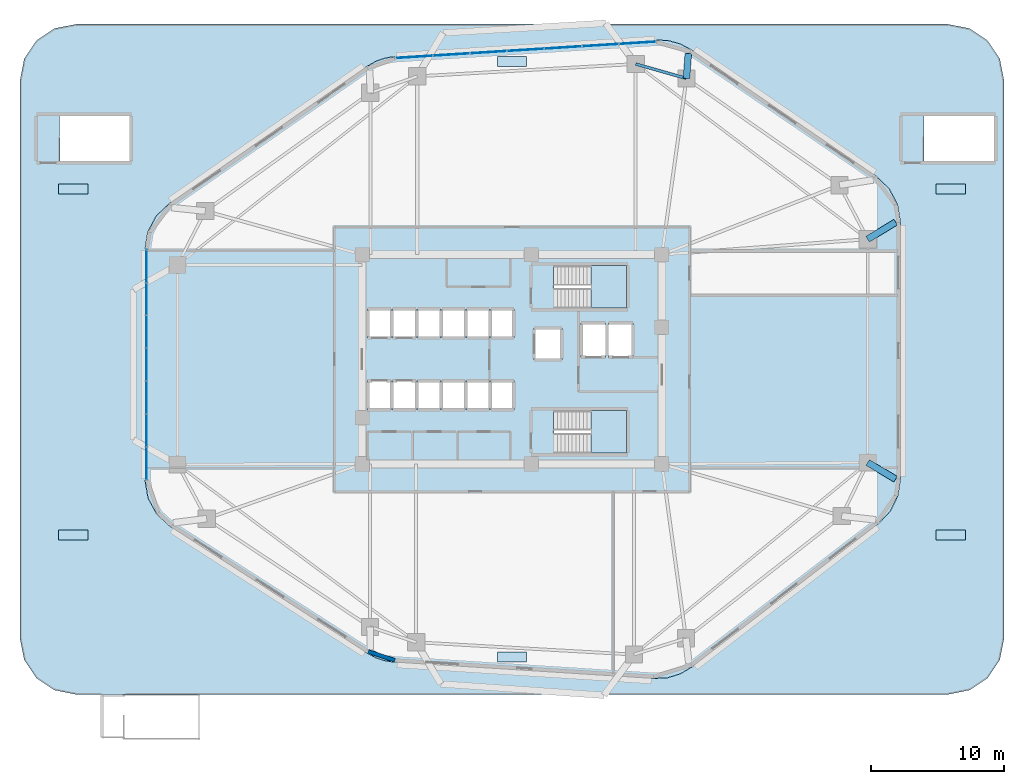
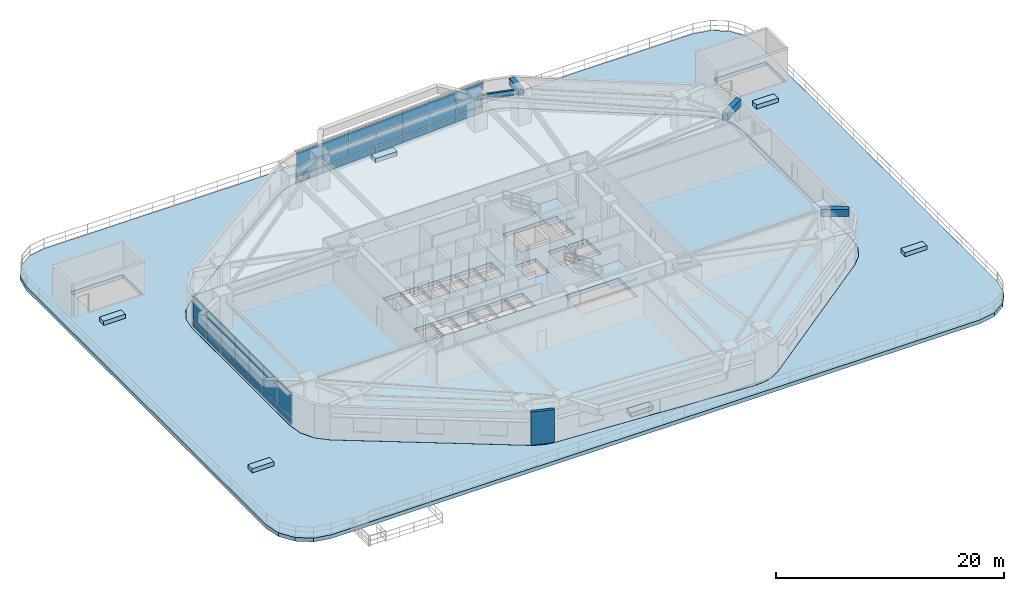
# One storey, part 13 of 20: 34 plates, 4 beams, 4 slabs, 1 wall, 4 elements without a shape of their own.
"""IFC4 building model written with IfcOpenShell, lengths in metres."""

from ifc_helpers import new_model, si_unit, direction, frame, frame_2d, origin, origin_2d, place, context, subcontext, project, spatial, polyline, rectangle, i_section, outline, extrude, material, layer, layer_set, material_profile, profile_set, type_object, element, aggregate, save


model = new_model("IFC4")

# Units and contexts
model_context = context("Model", 3, precision=1e-05, world=origin(), true_north=direction((0.0, 1.0)))
body_context = subcontext(model_context, "Body", "Model", "MODEL_VIEW")
ifc_project = project(units=[si_unit("LENGTHUNIT", "METRE"), si_unit("AREAUNIT", "SQUARE_METRE"), si_unit("VOLUMEUNIT", "CUBIC_METRE"), si_unit("PLANEANGLEUNIT", "RADIAN"), si_unit("MASSUNIT", "GRAM", prefix="KILO")], contexts=[model_context])

# Site, building, storey
site_placement = place(None, origin())
site = spatial("IfcSite", under=ifc_project, at=site_placement, CompositionType="ELEMENT")
building_placement = place(site_placement, origin())
building = spatial("IfcBuilding", under=site, at=building_placement, Name="Zulverin Broadcast Headquarters", CompositionType="ELEMENT")
storey_placement = place(building_placement, frame((0.0, 0.0, 25.0)))
storey = spatial("IfcBuildingStorey", under=building, at=storey_placement, Name="L05", CompositionType="ELEMENT", Elevation=25.0)

# Beams
ifc_material_1 = material(Name="Concrete C40/50", Category="concrete")
ifc_material_profile_1 = material_profile(ifc_material_1, rectangle(XDim=0.5, YDim=0.75, at=origin_2d()), Name="Concrete C40/50", Category="concrete")
ifc_profile_set_1 = profile_set([ifc_material_profile_1], Name="Concrete C40/50")
beam_type_1 = type_object("IfcBeamType", Name="BM-RC-500x750", PredefinedType="BEAM", material=ifc_profile_set_1)
beam_1_placement = place(storey_placement, frame((63.75, 17.439697265625, 3.14990234375), z_axis=(0.858161199639, -0.513380322407, 0.0), x_axis=(0.513380322407, 0.858161199639, 0.0)))
element("IfcBeam", 1, at=beam_1_placement, inside=storey, type_object=beam_type_1, Name="L06 Plate Overhang Back-Spanned Beam OVR-05", PredefinedType="BEAM", context=body_context, shape_type="SweptSolid", body=[
    extrude(rectangle(XDim=0.5, YDim=0.75, at=origin_2d()), origin(), (0.0, 0.0, 1.0), 2.447265625),
])
beam_2_placement = place(storey_placement, frame((63.75, 34.235107421875, 3.14990234375), z_axis=(0.854022127196, 0.520236682924, 0.0), x_axis=(-0.520236682924, 0.854022127196, 0.0)))
element("IfcBeam", 2, at=beam_2_placement, inside=storey, type_object=beam_type_1, Name="L06 Plate Overhang Back-Spanned Beam OVR-06", PredefinedType="BEAM", context=body_context, shape_type="SweptSolid", body=[
    extrude(rectangle(XDim=0.5, YDim=0.75, at=origin_2d()), origin(), (0.0, 0.0, 1.0), 2.458984375),
])
beam_3_placement = place(storey_placement, frame((50.121826171875, 46.325927734375, 3.14990234375), z_axis=(0.073023006252, 0.997330256514, 0.0), x_axis=(-0.997330256514, 0.073023006252, 0.0)))
element("IfcBeam", 3, at=beam_3_placement, inside=storey, type_object=beam_type_1, Name="L06 Plate Overhang Back-Spanned Beam OVR-08", PredefinedType="BEAM", context=body_context, shape_type="SweptSolid", body=[
    extrude(rectangle(XDim=0.5, YDim=0.75, at=origin_2d()), origin(), (0.0, 0.0, 1.0), 1.875732421875),
])
ifc_material_2 = material(Name="Structural steel S355JR", Category="steel")
ifc_material_profile_2 = material_profile(ifc_material_2, i_section(OverallWidth=0.2119140625, OverallDepth=0.54443359375, WebThickness=0.0126953125, FlangeThickness=0.021240234375, at=origin_2d()), Name="Structural steel S355JR", Category="steel")
ifc_profile_set_2 = profile_set([ifc_material_profile_2], Name="Structural steel S355JR")
beam_type_2 = type_object("IfcBeamType", Name="BM-UB-533", PredefinedType="SPANDREL", material=ifc_profile_set_2)
beam_4_placement = place(storey_placement, frame((50.121826171875, 46.325927734375, 3.252685546875), z_axis=(-0.962058150721, 0.272844487999, 0.0), x_axis=(-0.272844487999, -0.962058150721, 0.0)))
element("IfcBeam", 4, at=beam_4_placement, inside=storey, type_object=beam_type_2, Name="L05 Perimeter Spandrel Beam SP-08", PredefinedType="SPANDREL", context=body_context, shape_type="SweptSolid", body=[
    extrude(i_section(OverallWidth=0.2119140625, OverallDepth=0.54443359375, WebThickness=0.0126953125, FlangeThickness=0.021240234375, at=origin_2d()), origin(), (0.0, 0.0, 1.0), 3.97021484375),
])

# Curtain wall, plates
ifc_material_3 = material(Name="Low-zone ribbon unitised curtain wall", Category="aluminium")
curtain_wall_type = type_object("IfcCurtainWallType", Name="CW-TWR-LOW", PredefinedType="USERDEFINED", material=ifc_material_3)
curtain_wall_1_placement = place(storey_placement, origin())
curtain_wall_1 = element("IfcCurtainWall", 5, at=curtain_wall_1_placement, inside=storey, type_object=curtain_wall_type, Name="L05 Unitised Curtain Wall CW-L05-E5", ObjectType="UNITISED CURTAIN WALL", PredefinedType="USERDEFINED")
ifc_material_4 = material(Name="Low-E double-glazed pale-silver vision glass", Category="glass")
ifc_layer_1 = layer(ifc_material_4, 0.035888671875, Name="Low-E double-glazed pale-silver vision glass", Category="glass")
ifc_layer_set_1 = layer_set([ifc_layer_1], Name="Low-E double-glazed pale-silver vision glass")
plate_type_1 = type_object("IfcPlateType", Name="CW-PNL-GLZ", PredefinedType="CURTAIN_PANEL", material=ifc_layer_set_1)
plate_1_placement = place(storey_placement, frame((46.43115234375, 49.001220703125, 0.910888671875), z_axis=(0.0, 0.0, 1.0), x_axis=(-0.998017621976, -0.062935095345, 0.0)))
plate_1 = element("IfcPlate", 6, at=plate_1_placement, type_object=plate_type_1, Name="CW-L05-E5 Vision Panel 00", PredefinedType="CURTAIN_PANEL", context=body_context, shape_type="SweptSolid", body=[
    extrude(rectangle(XDim=2.76416015625, YDim=0.035888671875, at=origin_2d()), origin(), (0.0, 0.0, 1.0), 2.47412109375),
])
plate_2_placement = place(storey_placement, frame((43.632568359375, 48.82470703125, 0.910888671875), z_axis=(0.0, 0.0, 1.0), x_axis=(-0.998017621976, -0.062935095345, 0.0)))
plate_2 = element("IfcPlate", 7, at=plate_2_placement, type_object=plate_type_1, Name="CW-L05-E5 Vision Panel 01", PredefinedType="CURTAIN_PANEL", context=body_context, shape_type="SweptSolid", body=[
    extrude(rectangle(XDim=2.76416015625, YDim=0.035888671875, at=origin_2d()), origin(), (0.0, 0.0, 1.0), 2.47412109375),
])
plate_3_placement = place(storey_placement, frame((40.833984375, 48.648193359375, 0.910888671875), z_axis=(0.0, 0.0, 1.0), x_axis=(-0.998017621976, -0.062935095345, 0.0)))
plate_3 = element("IfcPlate", 8, at=plate_3_placement, type_object=plate_type_1, Name="CW-L05-E5 Vision Panel 02", PredefinedType="CURTAIN_PANEL", context=body_context, shape_type="SweptSolid", body=[
    extrude(rectangle(XDim=2.76416015625, YDim=0.035888671875, at=origin_2d()), origin(), (0.0, 0.0, 1.0), 2.47412109375),
])
plate_4_placement = place(storey_placement, frame((38.035400390625, 48.4716796875, 0.910888671875), z_axis=(0.0, 0.0, 1.0), x_axis=(-0.998017621976, -0.062935095345, 0.0)))
plate_4 = element("IfcPlate", 9, at=plate_4_placement, type_object=plate_type_1, Name="CW-L05-E5 Vision Panel 03", PredefinedType="CURTAIN_PANEL", context=body_context, shape_type="SweptSolid", body=[
    extrude(rectangle(XDim=2.76416015625, YDim=0.035888671875, at=origin_2d()), origin(), (0.0, 0.0, 1.0), 2.47412109375),
])
plate_5_placement = place(storey_placement, frame((35.236572265625, 48.295166015625, 0.910888671875), z_axis=(0.0, 0.0, 1.0), x_axis=(-0.998017621976, -0.062935095345, 0.0)))
plate_5 = element("IfcPlate", 10, at=plate_5_placement, type_object=plate_type_1, Name="CW-L05-E5 Vision Panel 04", PredefinedType="CURTAIN_PANEL", context=body_context, shape_type="SweptSolid", body=[
    extrude(rectangle(XDim=2.76416015625, YDim=0.035888671875, at=origin_2d()), origin(), (0.0, 0.0, 1.0), 2.47412109375),
])
plate_6_placement = place(storey_placement, frame((32.43798828125, 48.11865234375, 0.910888671875), z_axis=(0.0, 0.0, 1.0), x_axis=(-0.998017621976, -0.062935095345, 0.0)))
plate_6 = element("IfcPlate", 11, at=plate_6_placement, type_object=plate_type_1, Name="CW-L05-E5 Vision Panel 05", PredefinedType="CURTAIN_PANEL", context=body_context, shape_type="SweptSolid", body=[
    extrude(rectangle(XDim=2.76416015625, YDim=0.035888671875, at=origin_2d()), origin(), (0.0, 0.0, 1.0), 2.47412109375),
])
plate_7_placement = place(storey_placement, frame((29.639404296875, 47.942138671875, 0.910888671875), z_axis=(0.0, 0.0, 1.0), x_axis=(-0.998017621976, -0.062935095345, 0.0)))
plate_7 = element("IfcPlate", 12, at=plate_7_placement, type_object=plate_type_1, Name="CW-L05-E5 Vision Panel 06", PredefinedType="CURTAIN_PANEL", context=body_context, shape_type="SweptSolid", body=[
    extrude(rectangle(XDim=2.76416015625, YDim=0.035888671875, at=origin_2d()), origin(), (0.0, 0.0, 1.0), 2.47412109375),
])

curtain_wall_2_placement = place(storey_placement, origin())
curtain_wall_2 = element("IfcCurtainWall", 13, at=curtain_wall_2_placement, inside=storey, type_object=curtain_wall_type, Name="L05 Unitised Curtain Wall CW-L05-E7", ObjectType="UNITISED CURTAIN WALL", PredefinedType="USERDEFINED")
plate_8_placement = place(storey_placement, frame((9.52001953125, 32.20849609375, 0.910888671875), z_axis=(0.0, 0.0, 1.0), x_axis=(0.0, -1.0, 0.0)))
plate_8 = element("IfcPlate", 14, at=plate_8_placement, type_object=plate_type_1, Name="CW-L05-E7 Vision Panel 00", PredefinedType="CURTAIN_PANEL", context=body_context, shape_type="SweptSolid", body=[
    extrude(rectangle(XDim=2.431396484375, YDim=0.035888671875, at=origin_2d()), origin(), (0.0, 0.0, 1.0), 2.47412109375),
])
plate_9_placement = place(storey_placement, frame((9.52001953125, 29.737060546875, 0.910888671875), z_axis=(0.0, 0.0, 1.0), x_axis=(0.0, -1.0, 0.0)))
plate_9 = element("IfcPlate", 15, at=plate_9_placement, type_object=plate_type_1, Name="CW-L05-E7 Vision Panel 01", PredefinedType="CURTAIN_PANEL", context=body_context, shape_type="SweptSolid", body=[
    extrude(rectangle(XDim=2.431396484375, YDim=0.035888671875, at=origin_2d()), origin(), (0.0, 0.0, 1.0), 2.47412109375),
])
plate_10_placement = place(storey_placement, frame((9.52001953125, 27.265380859375, 0.910888671875), z_axis=(0.0, 0.0, 1.0), x_axis=(0.0, -1.0, 0.0)))
plate_10 = element("IfcPlate", 16, at=plate_10_placement, type_object=plate_type_1, Name="CW-L05-E7 Vision Panel 02", PredefinedType="CURTAIN_PANEL", context=body_context, shape_type="SweptSolid", body=[
    extrude(rectangle(XDim=2.431396484375, YDim=0.035888671875, at=origin_2d()), origin(), (0.0, 0.0, 1.0), 2.47412109375),
])
plate_11_placement = place(storey_placement, frame((9.52001953125, 24.7939453125, 0.910888671875), z_axis=(0.0, 0.0, 1.0), x_axis=(0.0, -1.0, 0.0)))
plate_11 = element("IfcPlate", 17, at=plate_11_placement, type_object=plate_type_1, Name="CW-L05-E7 Vision Panel 03", PredefinedType="CURTAIN_PANEL", context=body_context, shape_type="SweptSolid", body=[
    extrude(rectangle(XDim=2.431396484375, YDim=0.035888671875, at=origin_2d()), origin(), (0.0, 0.0, 1.0), 2.47412109375),
])
plate_12_placement = place(storey_placement, frame((9.52001953125, 22.322509765625, 0.910888671875), z_axis=(0.0, 0.0, 1.0), x_axis=(0.0, -1.0, 0.0)))
plate_12 = element("IfcPlate", 18, at=plate_12_placement, type_object=plate_type_1, Name="CW-L05-E7 Vision Panel 04", PredefinedType="CURTAIN_PANEL", context=body_context, shape_type="SweptSolid", body=[
    extrude(rectangle(XDim=2.431396484375, YDim=0.035888671875, at=origin_2d()), origin(), (0.0, 0.0, 1.0), 2.47412109375),
])
plate_13_placement = place(storey_placement, frame((9.52001953125, 19.850830078125, 0.910888671875), z_axis=(0.0, 0.0, 1.0), x_axis=(0.0, -1.0, 0.0)))
plate_13 = element("IfcPlate", 19, at=plate_13_placement, type_object=plate_type_1, Name="CW-L05-E7 Vision Panel 05", PredefinedType="CURTAIN_PANEL", context=body_context, shape_type="SweptSolid", body=[
    extrude(rectangle(XDim=2.431396484375, YDim=0.035888671875, at=origin_2d()), origin(), (0.0, 0.0, 1.0), 2.47412109375),
])
plate_14_placement = place(storey_placement, frame((9.52001953125, 17.37939453125, 0.910888671875), z_axis=(0.0, 0.0, 1.0), x_axis=(0.0, -1.0, 0.0)))
plate_14 = element("IfcPlate", 20, at=plate_14_placement, type_object=plate_type_1, Name="CW-L05-E7 Vision Panel 06", PredefinedType="CURTAIN_PANEL", context=body_context, shape_type="SweptSolid", body=[
    extrude(rectangle(XDim=2.431396484375, YDim=0.035888671875, at=origin_2d()), origin(), (0.0, 0.0, 1.0), 2.47412109375),
])

# Plate
ifc_material_5 = material(Name="Insulated brushed pale-aluminium spandrel cassette", Category="aluminium")
ifc_layer_2 = layer(ifc_material_5, 0.050048828125, Name="Insulated brushed pale-aluminium spandrel cassette", Category="aluminium")
ifc_layer_set_2 = layer_set([ifc_layer_2], Name="Insulated brushed pale-aluminium spandrel cassette")
plate_type_2 = type_object("IfcPlateType", Name="CW-PNL-SPN", PredefinedType="CURTAIN_PANEL", material=ifc_layer_set_2)
plate_15_placement = place(storey_placement, frame((46.43115234375, 49.001220703125, 0.139892578125), z_axis=(0.0, 0.0, 1.0), x_axis=(-0.998017621976, -0.062935095345, 0.0)))
plate_15 = element("IfcPlate", 21, at=plate_15_placement, type_object=plate_type_2, Name="CW-L05-E5 Spandrel Cassette 00", PredefinedType="CURTAIN_PANEL", context=body_context, shape_type="SweptSolid", body=[
    extrude(rectangle(XDim=2.76416015625, YDim=0.050048828125, at=origin_2d()), origin(), (0.0, 0.0, 1.0), 0.64111328125),
])

plate_16_placement = place(storey_placement, frame((43.632568359375, 48.82470703125, 0.139892578125), z_axis=(0.0, 0.0, 1.0), x_axis=(-0.998017621976, -0.062935095345, 0.0)))
plate_16 = element("IfcPlate", 22, at=plate_16_placement, type_object=plate_type_2, Name="CW-L05-E5 Spandrel Cassette 01", PredefinedType="CURTAIN_PANEL", context=body_context, shape_type="SweptSolid", body=[
    extrude(rectangle(XDim=2.76416015625, YDim=0.050048828125, at=origin_2d()), origin(), (0.0, 0.0, 1.0), 0.64111328125),
])

plate_17_placement = place(storey_placement, frame((40.833984375, 48.648193359375, 0.139892578125), z_axis=(0.0, 0.0, 1.0), x_axis=(-0.998017621976, -0.062935095345, 0.0)))
plate_17 = element("IfcPlate", 23, at=plate_17_placement, type_object=plate_type_2, Name="CW-L05-E5 Spandrel Cassette 02", PredefinedType="CURTAIN_PANEL", context=body_context, shape_type="SweptSolid", body=[
    extrude(rectangle(XDim=2.76416015625, YDim=0.050048828125, at=origin_2d()), origin(), (0.0, 0.0, 1.0), 0.64111328125),
])

plate_18_placement = place(storey_placement, frame((38.035400390625, 48.4716796875, 0.139892578125), z_axis=(0.0, 0.0, 1.0), x_axis=(-0.998017621976, -0.062935095345, 0.0)))
plate_18 = element("IfcPlate", 24, at=plate_18_placement, type_object=plate_type_2, Name="CW-L05-E5 Spandrel Cassette 03", PredefinedType="CURTAIN_PANEL", context=body_context, shape_type="SweptSolid", body=[
    extrude(rectangle(XDim=2.76416015625, YDim=0.050048828125, at=origin_2d()), origin(), (0.0, 0.0, 1.0), 0.64111328125),
])

plate_19_placement = place(storey_placement, frame((35.236572265625, 48.295166015625, 0.139892578125), z_axis=(0.0, 0.0, 1.0), x_axis=(-0.998017621976, -0.062935095345, 0.0)))
plate_19 = element("IfcPlate", 25, at=plate_19_placement, type_object=plate_type_2, Name="CW-L05-E5 Spandrel Cassette 04", PredefinedType="CURTAIN_PANEL", context=body_context, shape_type="SweptSolid", body=[
    extrude(rectangle(XDim=2.76416015625, YDim=0.050048828125, at=origin_2d()), origin(), (0.0, 0.0, 1.0), 0.64111328125),
])

plate_20_placement = place(storey_placement, frame((32.43798828125, 48.11865234375, 0.139892578125), z_axis=(0.0, 0.0, 1.0), x_axis=(-0.998017621976, -0.062935095345, 0.0)))
plate_20 = element("IfcPlate", 26, at=plate_20_placement, type_object=plate_type_2, Name="CW-L05-E5 Spandrel Cassette 05", PredefinedType="CURTAIN_PANEL", context=body_context, shape_type="SweptSolid", body=[
    extrude(rectangle(XDim=2.76416015625, YDim=0.050048828125, at=origin_2d()), origin(), (0.0, 0.0, 1.0), 0.64111328125),
])

plate_21_placement = place(storey_placement, frame((29.639404296875, 47.942138671875, 0.139892578125), z_axis=(0.0, 0.0, 1.0), x_axis=(-0.998017621976, -0.062935095345, 0.0)))
plate_21 = element("IfcPlate", 27, at=plate_21_placement, type_object=plate_type_2, Name="CW-L05-E5 Spandrel Cassette 06", PredefinedType="CURTAIN_PANEL", context=body_context, shape_type="SweptSolid", body=[
    extrude(rectangle(XDim=2.76416015625, YDim=0.050048828125, at=origin_2d()), origin(), (0.0, 0.0, 1.0), 0.64111328125),
])

aggregate(curtain_wall_1, [plate_15, plate_1, plate_16, plate_2, plate_17, plate_3, plate_18, plate_4, plate_19, plate_5, plate_20, plate_6, plate_21, plate_7])

plate_22_placement = place(storey_placement, frame((9.52001953125, 32.20849609375, 0.139892578125), z_axis=(0.0, 0.0, 1.0), x_axis=(0.0, -1.0, 0.0)))
plate_22 = element("IfcPlate", 28, at=plate_22_placement, type_object=plate_type_2, Name="CW-L05-E7 Spandrel Cassette 00", PredefinedType="CURTAIN_PANEL", context=body_context, shape_type="SweptSolid", body=[
    extrude(rectangle(XDim=2.431396484375, YDim=0.050048828125, at=origin_2d()), origin(), (0.0, 0.0, 1.0), 0.64111328125),
])

plate_23_placement = place(storey_placement, frame((9.52001953125, 29.737060546875, 0.139892578125), z_axis=(0.0, 0.0, 1.0), x_axis=(0.0, -1.0, 0.0)))
plate_23 = element("IfcPlate", 29, at=plate_23_placement, type_object=plate_type_2, Name="CW-L05-E7 Spandrel Cassette 01", PredefinedType="CURTAIN_PANEL", context=body_context, shape_type="SweptSolid", body=[
    extrude(rectangle(XDim=2.431396484375, YDim=0.050048828125, at=origin_2d()), origin(), (0.0, 0.0, 1.0), 0.64111328125),
])

plate_24_placement = place(storey_placement, frame((9.52001953125, 27.265380859375, 0.139892578125), z_axis=(0.0, 0.0, 1.0), x_axis=(0.0, -1.0, 0.0)))
plate_24 = element("IfcPlate", 30, at=plate_24_placement, type_object=plate_type_2, Name="CW-L05-E7 Spandrel Cassette 02", PredefinedType="CURTAIN_PANEL", context=body_context, shape_type="SweptSolid", body=[
    extrude(rectangle(XDim=2.431396484375, YDim=0.050048828125, at=origin_2d()), origin(), (0.0, 0.0, 1.0), 0.64111328125),
])

plate_25_placement = place(storey_placement, frame((9.52001953125, 24.7939453125, 0.139892578125), z_axis=(0.0, 0.0, 1.0), x_axis=(0.0, -1.0, 0.0)))
plate_25 = element("IfcPlate", 31, at=plate_25_placement, type_object=plate_type_2, Name="CW-L05-E7 Spandrel Cassette 03", PredefinedType="CURTAIN_PANEL", context=body_context, shape_type="SweptSolid", body=[
    extrude(rectangle(XDim=2.431396484375, YDim=0.050048828125, at=origin_2d()), origin(), (0.0, 0.0, 1.0), 0.64111328125),
])

plate_26_placement = place(storey_placement, frame((9.52001953125, 22.322509765625, 0.139892578125), z_axis=(0.0, 0.0, 1.0), x_axis=(0.0, -1.0, 0.0)))
plate_26 = element("IfcPlate", 32, at=plate_26_placement, type_object=plate_type_2, Name="CW-L05-E7 Spandrel Cassette 04", PredefinedType="CURTAIN_PANEL", context=body_context, shape_type="SweptSolid", body=[
    extrude(rectangle(XDim=2.431396484375, YDim=0.050048828125, at=origin_2d()), origin(), (0.0, 0.0, 1.0), 0.64111328125),
])

plate_27_placement = place(storey_placement, frame((9.52001953125, 19.850830078125, 0.139892578125), z_axis=(0.0, 0.0, 1.0), x_axis=(0.0, -1.0, 0.0)))
plate_27 = element("IfcPlate", 33, at=plate_27_placement, type_object=plate_type_2, Name="CW-L05-E7 Spandrel Cassette 05", PredefinedType="CURTAIN_PANEL", context=body_context, shape_type="SweptSolid", body=[
    extrude(rectangle(XDim=2.431396484375, YDim=0.050048828125, at=origin_2d()), origin(), (0.0, 0.0, 1.0), 0.64111328125),
])

plate_28_placement = place(storey_placement, frame((9.52001953125, 17.37939453125, 0.139892578125), z_axis=(0.0, 0.0, 1.0), x_axis=(0.0, -1.0, 0.0)))
plate_28 = element("IfcPlate", 34, at=plate_28_placement, type_object=plate_type_2, Name="CW-L05-E7 Spandrel Cassette 06", PredefinedType="CURTAIN_PANEL", context=body_context, shape_type="SweptSolid", body=[
    extrude(rectangle(XDim=2.431396484375, YDim=0.050048828125, at=origin_2d()), origin(), (0.0, 0.0, 1.0), 0.64111328125),
])

aggregate(curtain_wall_2, [plate_22, plate_8, plate_23, plate_9, plate_24, plate_10, plate_25, plate_11, plate_26, plate_12, plate_27, plate_13, plate_28, plate_14])

# Plates
ifc_material_6 = material(Name="Precast concrete C45/55", Category="concrete")
ifc_layer_3 = layer(ifc_material_6, 0.449951171875, Name="Precast concrete C45/55", Category="concrete")
ifc_layer_set_3 = layer_set([ifc_layer_3], Name="Precast concrete C45/55")
plate_type_3 = type_object("IfcPlateType", Name="PT-01_PRECAST_GFRC_TREE_PLANTER", PredefinedType="USERDEFINED", material=ifc_layer_set_3)
for number, where, z_axis, x_axis, name in (
    (35, (4.0, 12.0, -0.0048828125), (0.0, 0.0, 1.0), (1.0, 0.0, 0.0), "L05 Raised Garden Tree Planter 1"),
    (36, (4.0, 38.0, -0.0048828125), (0.0, 0.0, 1.0), (1.0, 0.0, 0.0), "L05 Raised Garden Tree Planter 2"),
    (37, (70.0, 12.0, -0.0048828125), (0.0, 0.0, 1.0), (1.0, 0.0, 0.0), "L05 Raised Garden Tree Planter 3"),
    (38, (70.0, 38.0, -0.0048828125), (0.0, 0.0, 1.0), (1.0, 0.0, 0.0), "L05 Raised Garden Tree Planter 4"),
    (39, (37.0, 2.800048828125, -0.0048828125), (0.0, 0.0, 1.0), (1.0, 0.0, 0.0), "L05 Raised Garden Tree Planter 5"),
    (40, (37.0, 47.60009765625, -0.0048828125), (0.0, 0.0, 1.0), (1.0, 0.0, 0.0), "L05 Raised Garden Tree Planter 6"),
):
    element("IfcPlate", number, at=place(storey_placement, frame(where, z_axis=z_axis, x_axis=x_axis)), inside=storey, type_object=plate_type_3, Name=name, ObjectType="PLANTER", PredefinedType="USERDEFINED", context=body_context, shape_type="SweptSolid", body=[
        extrude(rectangle(XDim=2.199951171875, YDim=0.75, at=origin_2d()), origin(), (0.0, 0.0, 1.0), 0.449951171875),
    ])

# Slab
ifc_layer_4 = layer(ifc_material_1, 0.39990234375, Name="Concrete C40/50", Category="concrete")
ifc_layer_set_4 = layer_set([ifc_layer_4], Name="Concrete C40/50")
slab_type_1 = type_object("IfcSlabType", Name="SLB-GDN-400", PredefinedType="FLOOR", material=ifc_layer_set_4)
slab_1_placement = place(storey_placement, frame((0.0, 0.0, -0.39990234375)))
element("IfcSlab", 41, at=slab_1_placement, inside=storey, type_object=slab_type_1, Name="L05 Raised Public Garden Terrace Deck Slab", PredefinedType="FLOOR", context=body_context, shape_type="SweptSolid", body=[
    extrude(outline(polyline([(0.320068359375, 2.592041015625), (1.23193359375, 1.23193359375), (2.592041015625, 0.320068359375), (4.199951171875, 0.0), (69.800048828125, 0.0), (71.407958984375, 0.320068359375), (72.76806640625, 1.23193359375), (73.679931640625, 2.592041015625), (74.0, 4.199951171875), (74.0, 46.199951171875), (73.679931640625, 47.80810546875), (72.76806640625, 49.16796875), (71.407958984375, 50.080078125), (69.800048828125, 50.39990234375), (4.199951171875, 50.39990234375), (2.592041015625, 50.080078125), (1.23193359375, 49.16796875), (0.320068359375, 47.80810546875), (0.0, 46.199951171875), (0.0, 4.199951171875), (0.320068359375, 2.592041015625)]), holes=[polyline([(73.251953125, 40.10009765625), (67.99609375, 40.10009765625), (67.99609375, 41.89990234375), (67.971923828125, 41.89990234375), (67.971923828125, 43.5), (73.251953125, 43.5), (73.251953125, 40.10009765625)]), polyline([(27.447998046875, 2.528076171875), (26.77197265625, 2.748046875), (26.139892578125, 3.080078125), (11.323974609375, 12.60009765625), (10.2919921875, 13.5400390625), (9.6240234375, 14.763916015625), (9.39208984375, 16.139892578125), (9.39208984375, 33.444091796875), (9.60400390625, 34.77197265625), (10.22802734375, 35.968017578125), (11.199951171875, 36.904052734375), (26.095947265625, 47.239990234375), (26.760009765625, 47.615966796875), (27.47607421875, 47.867919921875), (28.23193359375, 47.98388671875), (47.823974609375, 49.219970703125), (48.748046875, 49.176025390625), (49.64404296875, 48.927978515625), (50.4599609375, 48.49609375), (64.3759765625, 38.991943359375), (65.35595703125, 38.055908203125), (65.991943359375, 36.85595703125), (66.2080078125, 35.51611328125), (66.2119140625, 16.18408203125), (66.01611328125, 14.919921875), (65.451904296875, 13.77197265625), (64.568115234375, 12.847900390625), (50.52001953125, 2.052001953125), (49.656005859375, 1.5400390625), (48.696044921875, 1.248046875), (47.69189453125, 1.18798828125), (28.152099609375, 2.419921875), (27.447998046875, 2.528076171875)]), polyline([(8.251953125, 43.5), (8.251953125, 40.10009765625), (2.99609375, 40.10009765625), (2.99609375, 41.89990234375), (2.971923828125, 41.89990234375), (2.971923828125, 43.5), (8.251953125, 43.5)])]), origin(), (0.0, 0.0, 1.0), 0.39990234375),
])

# Stair, slab
stair_type = type_object("IfcStairType", Name="ST-CORE-1500", PredefinedType="HALF_TURN_STAIR", material=ifc_material_1)
stair_1_placement = place(storey_placement, origin())
stair_1 = element("IfcStair", 42, at=stair_1_placement, inside=storey, type_object=stair_type, Name="L05 Core Exit Stair ST-1", PredefinedType="HALF_TURN_STAIR")
ifc_layer_5 = layer(ifc_material_1, 0.199951171875, Name="Concrete C40/50", Category="concrete")
ifc_layer_set_5 = layer_set([ifc_layer_5], Name="Concrete C40/50")
slab_type_2 = type_object("IfcSlabType", Name="SLB-ST-LND200", PredefinedType="LANDING", material=ifc_layer_set_5)
slab_2_placement = place(storey_placement, frame((0.0, 0.0, 1.699951171875)))
slab_2 = element("IfcSlab", 43, at=slab_2_placement, type_object=slab_type_2, Name="ST-1 landing 1", PredefinedType="LANDING", context=body_context, shape_type="SweptSolid", body=[
    extrude(outline(polyline([(42.929931640625, 29.050048828125), (45.60009765625, 29.050048828125), (45.60009765625, 32.25), (42.929931640625, 32.25), (42.929931640625, 29.050048828125)])), origin(), (0.0, 0.0, 1.0), 0.199951171875),
])
aggregate(stair_1, [slab_2])

stair_2_placement = place(storey_placement, origin())
stair_2 = element("IfcStair", 44, at=stair_2_placement, inside=storey, type_object=stair_type, Name="L05 Core Exit Stair ST-2", PredefinedType="HALF_TURN_STAIR")
slab_3_placement = place(storey_placement, frame((0.0, 0.0, 1.699951171875)))
slab_3 = element("IfcSlab", 45, at=slab_3_placement, type_object=slab_type_2, Name="ST-2 landing 1", PredefinedType="LANDING", context=body_context, shape_type="SweptSolid", body=[
    extrude(outline(polyline([(42.929931640625, 18.14990234375), (45.60009765625, 18.14990234375), (45.60009765625, 21.35009765625), (42.929931640625, 21.35009765625), (42.929931640625, 18.14990234375)])), origin(), (0.0, 0.0, 1.0), 0.199951171875),
])
aggregate(stair_2, [slab_3])

# Slab
ifc_material_7 = material(Name="Concrete C50/60", Category="concrete")
ifc_layer_6 = layer(ifc_material_7, 0.39990234375, Name="Concrete C50/60", Category="concrete")
ifc_layer_set_6 = layer_set([ifc_layer_6], Name="Concrete C50/60")
slab_type_3 = type_object("IfcSlabType", Name="SLB-TRN-400", PredefinedType="FLOOR", material=ifc_layer_set_6)
slab_4_placement = place(storey_placement, frame((0.0, 0.0, -0.39990234375)))
element("IfcSlab", 46, at=slab_4_placement, inside=storey, type_object=slab_type_3, Name="L05 Main Structural Floor Slab", PredefinedType="FLOOR", context=body_context, shape_type="SweptSolid", body=[
    extrude(outline(polyline([(26.146484375, 3.089599609375), (26.774658203125, 2.75732421875), (27.44970703125, 2.535888671875), (28.152587890625, 2.431396484375), (47.690673828125, 1.19921875), (48.69189453125, 1.256103515625), (49.6513671875, 1.548828125), (50.51416015625, 2.060546875), (64.55908203125, 12.85302734375), (65.44140625, 13.77587890625), (66.005859375, 14.92138671875), (66.199951171875, 16.183349609375), (66.199951171875, 35.514404296875), (65.981689453125, 36.85107421875), (65.349365234375, 38.048583984375), (64.368896484375, 38.982666015625), (50.456298828125, 48.485595703125), (49.639404296875, 48.920166015625), (48.747314453125, 49.165283203125), (47.822998046875, 49.208984375), (28.232421875, 47.9736328125), (27.481201171875, 47.857421875), (26.76318359375, 47.607666015625), (26.102294921875, 47.232666015625), (11.20556640625, 36.89501953125), (10.238037109375, 35.9619140625), (9.614990234375, 34.77099609375), (9.39990234375, 33.4443359375), (9.39990234375, 16.1435546875), (9.631103515625, 14.769775390625), (10.298583984375, 13.547119140625), (11.32958984375, 12.610107421875), (26.146484375, 3.089599609375)]), holes=[polyline([(40.155029296875, 30.75), (40.13037109375, 30.75), (40.13037109375, 32.25), (45.60009765625, 32.25), (45.60009765625, 29.050048828125), (40.155029296875, 29.050048828125), (40.155029296875, 30.75)]), polyline([(40.155029296875, 19.85009765625), (40.13037109375, 19.85009765625), (40.13037109375, 21.35009765625), (45.60009765625, 21.35009765625), (45.60009765625, 18.14990234375), (40.155029296875, 18.14990234375), (40.155029296875, 19.85009765625)]), polyline([(26.14990234375, 26.800048828125), (27.89990234375, 26.800048828125), (27.89990234375, 29.0), (26.14990234375, 29.0), (26.14990234375, 26.800048828125)]), polyline([(28.02001953125, 26.800048828125), (29.77001953125, 26.800048828125), (29.77001953125, 29.0), (28.02001953125, 29.0), (28.02001953125, 26.800048828125)]), polyline([(26.14990234375, 21.39990234375), (27.89990234375, 21.39990234375), (27.89990234375, 23.60009765625), (26.14990234375, 23.60009765625), (26.14990234375, 21.39990234375)]), polyline([(28.02001953125, 21.39990234375), (29.77001953125, 21.39990234375), (29.77001953125, 23.60009765625), (28.02001953125, 23.60009765625), (28.02001953125, 21.39990234375)]), polyline([(29.89990234375, 21.39990234375), (31.6201171875, 21.39990234375), (31.6201171875, 23.60009765625), (29.89990234375, 23.60009765625), (29.89990234375, 21.39990234375)]), polyline([(31.739990234375, 21.39990234375), (33.4599609375, 21.39990234375), (33.4599609375, 23.60009765625), (31.739990234375, 23.60009765625), (31.739990234375, 21.39990234375)]), polyline([(33.580078125, 21.39990234375), (35.300048828125, 21.39990234375), (35.300048828125, 23.60009765625), (33.580078125, 23.60009765625), (33.580078125, 21.39990234375)]), polyline([(35.419921875, 21.39990234375), (37.139892578125, 21.39990234375), (37.139892578125, 23.60009765625), (35.419921875, 23.60009765625), (35.419921875, 21.39990234375)]), polyline([(29.89990234375, 26.800048828125), (31.6201171875, 26.800048828125), (31.6201171875, 29.0), (29.89990234375, 29.0), (29.89990234375, 26.800048828125)]), polyline([(31.739990234375, 26.800048828125), (33.4599609375, 26.800048828125), (33.4599609375, 29.0), (31.739990234375, 29.0), (31.739990234375, 26.800048828125)]), polyline([(33.580078125, 26.800048828125), (35.300048828125, 26.800048828125), (35.300048828125, 29.0), (33.580078125, 29.0), (33.580078125, 26.800048828125)]), polyline([(35.419921875, 26.800048828125), (37.139892578125, 26.800048828125), (37.139892578125, 29.0), (35.419921875, 29.0), (35.419921875, 26.800048828125)]), polyline([(42.199951171875, 25.35009765625), (44.050048828125, 25.35009765625), (44.050048828125, 27.949951171875), (42.199951171875, 27.949951171875), (42.199951171875, 25.35009765625)]), polyline([(44.25, 25.35009765625), (46.10009765625, 25.35009765625), (46.10009765625, 27.949951171875), (44.25, 27.949951171875), (44.25, 25.35009765625)]), polyline([(38.64990234375, 25.14990234375), (40.75, 25.14990234375), (40.75, 27.550048828125), (38.64990234375, 27.550048828125), (38.64990234375, 25.14990234375)])]), origin(), (0.0, 0.0, 1.0), 0.39990234375),
])

# Wall
ifc_material_8 = material(Name="Insulated pale-metal clad concrete spandrel C40/50", Category="concrete")
ifc_layer_7 = layer(ifc_material_8, 0.280029296875, Name="Insulated pale-metal clad concrete spandrel C40/50", Category="concrete")
ifc_layer_set_7 = layer_set([ifc_layer_7], Name="Insulated pale-metal clad concrete spandrel C40/50")
wall_type = type_object("IfcWallType", Name="WL-EXT-280", PredefinedType="STANDARD", material=ifc_layer_set_7)
wall_placement = place(storey_placement, frame((26.18994140625, 3.22265625, 0.0), z_axis=(0.0, 0.0, 1.0), x_axis=(0.95016442175, -0.311749212734, 0.0)))
element("IfcWall", 47, at=wall_placement, inside=storey, type_object=wall_type, Name="L05 Wind-Shaped Corner Spandrel Wall 8-1", PredefinedType="STANDARD", context=body_context, shape_type="SweptSolid", body=[
    extrude(rectangle(XDim=2.111328125, YDim=0.280029296875, at=frame_2d((1.0556640625, 0.0))), origin(), (0.0, 0.0, 1.0), 3.52490234375),
])

save(model, "model.ifc")
